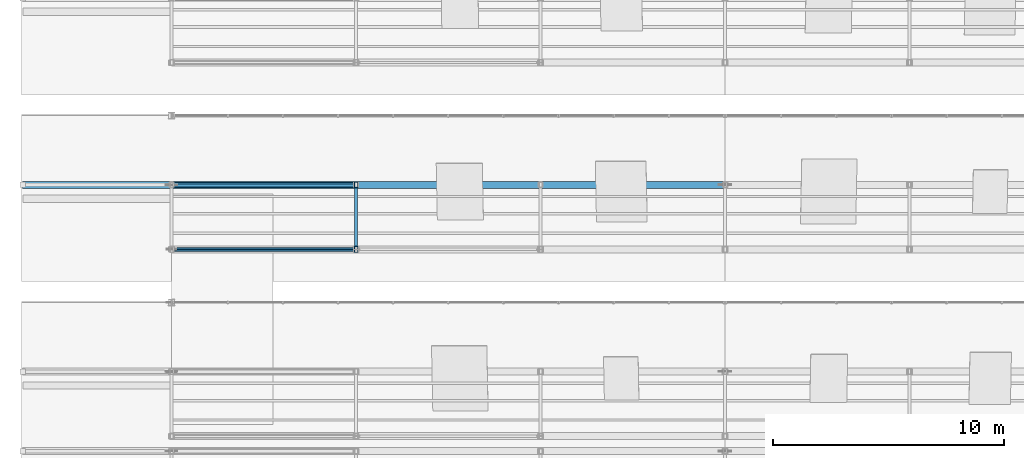
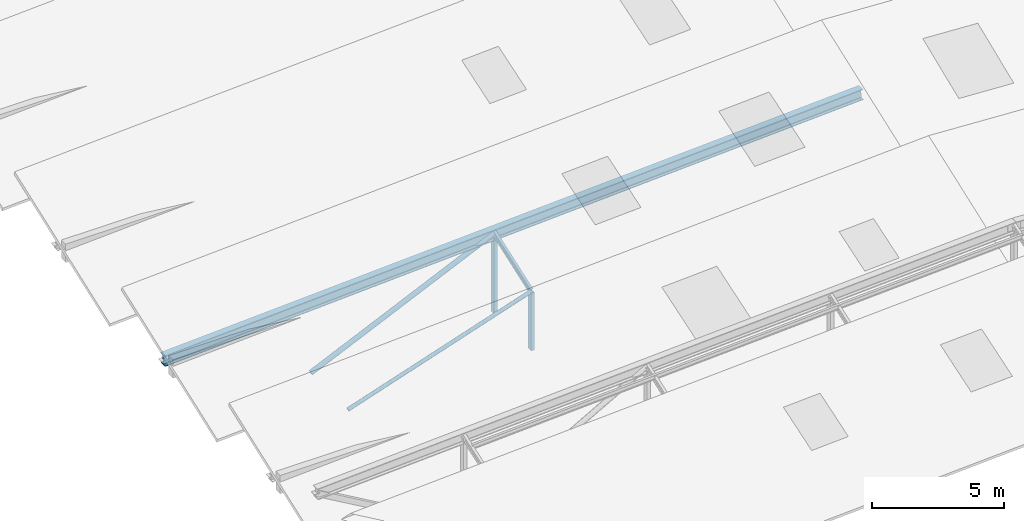
# One storey, part 26 of 141: 6 members.
"""IFC4 building model written with IfcOpenShell, lengths in metres."""

from ifc_helpers import new_model, si_unit, direction, frame, origin, origin_2d, place, context, subcontext, project, spatial, hollow_rectangle, hollow_circle, i_section, extrude, material, material_profile, profile_set, type_object, element, save


model = new_model("IFC4")

# Units and contexts
model_context = context("Model", 3, precision=1e-05, world=origin(), true_north=direction((0.0, 1.0)))
body_context = subcontext(model_context, "Body", "Model", "MODEL_VIEW")
ifc_project = project(units=[si_unit("LENGTHUNIT", "METRE"), si_unit("AREAUNIT", "SQUARE_METRE"), si_unit("VOLUMEUNIT", "CUBIC_METRE"), si_unit("PLANEANGLEUNIT", "RADIAN"), si_unit("MASSUNIT", "GRAM", prefix="KILO")], contexts=[model_context])

# Site, building, storey
site_placement = place(None, origin())
site = spatial("IfcSite", under=ifc_project, at=site_placement, CompositionType="ELEMENT")
building_placement = place(site_placement, origin())
building = spatial("IfcBuilding", under=site, at=building_placement, Name="Sundkrona Museum", CompositionType="ELEMENT")
storey_placement = place(building_placement, frame((0.0, 0.0, 34.0)))
storey = spatial("IfcBuildingStorey", under=building, at=storey_placement, Name="RF", CompositionType="ELEMENT", Elevation=34.0)

# Members
ifc_material = material(Name="Steel S355J2", Category="steel")
ifc_material_profile_1 = material_profile(ifc_material, i_section(OverallWidth=0.1201171875, OverallDepth=0.239990234375, WebThickness=0.006103515625, FlangeThickness=0.009765625, FilletRadius=0.014892578125, at=origin_2d()), Name="IPE 240")
ifc_profile_set_1 = profile_set([ifc_material_profile_1], Name="Steel S355J2")
member_type_1 = type_object("IfcMemberType", Name="PR-IPE240", PredefinedType="PURLIN", material=ifc_profile_set_1)
member_1_placement = place(storey_placement, frame((128.0, 12.60009765625, 2.40966796875), z_axis=(0.0, 0.942719886711, 0.333585394164), x_axis=(-1.0, 0.0, 0.0)))
element("IfcMember", 1, at=member_1_placement, inside=storey, type_object=member_type_1, Name="RFS-1 Sawtooth Bay 3 Transverse Rafter 2", PredefinedType="PURLIN", context=body_context, shape_type="SweptSolid", body=[
    extrude(i_section(OverallWidth=0.1201171875, OverallDepth=0.239990234375, WebThickness=0.006103515625, FlangeThickness=0.009765625, FilletRadius=0.014892578125, at=origin_2d()), origin(), (0.0, 0.0, 1.0), 2.969970703125),
])
ifc_material_profile_2 = material_profile(ifc_material, hollow_circle(Radius=0.084228515625, WallThickness=0.008056640625, at=origin_2d()), Name="CHS 168.3x8.0")
ifc_profile_set_2 = profile_set([ifc_material_profile_2], Name="Steel S355J2")
member_type_2 = type_object("IfcMemberType", Name="ST-CHS168", PredefinedType="STRUT", material=ifc_profile_set_2)
member_2_placement = place(storey_placement, frame((120.0, 12.60009765625, -0.25), z_axis=(0.948932052169, 0.0, 0.315480522959), x_axis=(0.0, 1.0, 0.0)))
element("IfcMember", 2, at=member_2_placement, inside=storey, type_object=member_type_2, Name="RFS-1 Sawtooth Valley Truss 3 Web Strut 1", PredefinedType="STRUT", context=body_context, shape_type="SweptSolid", body=[
    extrude(hollow_circle(Radius=0.084228515625, WallThickness=0.008056640625, at=origin_2d()), origin(), (0.0, 0.0, 1.0), 8.430419921875),
])
ifc_material_profile_3 = material_profile(ifc_material, hollow_circle(Radius=0.109619140625, WallThickness=0.010009765625, at=origin_2d()), Name="CHS 219.1x10.0")
ifc_profile_set_3 = profile_set([ifc_material_profile_3], Name="Steel S355J2")
member_type_3 = type_object("IfcMemberType", Name="ST-CHS219", PredefinedType="STRUT", material=ifc_profile_set_3)
member_3_placement = place(storey_placement, frame((120.0, 15.39990234375, -0.25), z_axis=(0.909764602173, 0.0, 0.415124521841), x_axis=(0.0, 1.0, 0.0)))
element("IfcMember", 3, at=member_3_placement, inside=storey, type_object=member_type_3, Name="RFS-1 Sawtooth Truss 3 Web Strut 1", PredefinedType="STRUT", context=body_context, shape_type="SweptSolid", body=[
    extrude(hollow_circle(Radius=0.109619140625, WallThickness=0.010009765625, at=origin_2d()), origin(), (0.0, 0.0, 1.0), 8.79345703125),
])
ifc_material_profile_4 = material_profile(ifc_material, hollow_rectangle(XDim=0.14990234375, YDim=0.25, WallThickness=0.010009765625, at=origin_2d()), Name="RHS 250x150x10.0")
ifc_profile_set_4 = profile_set([ifc_material_profile_4], Name="Steel S355J2")
member_type_4 = type_object("IfcMemberType", Name="ST-RHS250", PredefinedType="STRUT", material=ifc_profile_set_4)
member_4_placement = place(storey_placement, frame((128.0, 15.39990234375, -0.25), z_axis=(0.0, 0.0, 1.0), x_axis=(1.0, 0.0, 0.0)))
element("IfcMember", 4, at=member_4_placement, inside=storey, type_object=member_type_4, Name="RFS-1 Sawtooth Truss 3 Vertical Post 2", PredefinedType="STRUT", context=body_context, shape_type="SweptSolid", body=[
    extrude(hollow_rectangle(XDim=0.14990234375, YDim=0.25, WallThickness=0.010009765625, at=origin_2d()), origin(), (0.0, 0.0, 1.0), 3.650390625),
])
member_5_placement = place(storey_placement, frame((128.0, 12.60009765625, -0.25), z_axis=(0.0, 0.0, 1.0), x_axis=(1.0, 0.0, 0.0)))
element("IfcMember", 5, at=member_5_placement, inside=storey, type_object=member_type_4, Name="RFS-1 Sawtooth Bay 3 Valley Post 2", PredefinedType="STRUT", context=body_context, shape_type="SweptSolid", body=[
    extrude(hollow_rectangle(XDim=0.14990234375, YDim=0.25, WallThickness=0.010009765625, at=origin_2d()), origin(), (0.0, 0.0, 1.0), 2.65966796875),
])
ifc_material_profile_5 = material_profile(ifc_material, i_section(OverallWidth=0.300048828125, OverallDepth=0.5, WebThickness=0.014404296875, FlangeThickness=0.028076171875, FilletRadius=0.027099609375, at=origin_2d()), Name="HEB 500")
ifc_profile_set_5 = profile_set([ifc_material_profile_5], Name="Steel S355J2")
member_type_5 = type_object("IfcMemberType", Name="TC-HEB500", PredefinedType="CHORD", material=ifc_profile_set_5)
member_6_placement = place(storey_placement, frame((113.550048828125, 15.39990234375, 2.618408203125), z_axis=(0.998539589753, 0.0, 0.054024880348), x_axis=(0.0, 1.0, 0.0)))
element("IfcMember", 6, at=member_6_placement, inside=storey, type_object=member_type_5, Name="RFS-1 Sawtooth Truss 3 West Sloped Top Chord", PredefinedType="CHORD", context=body_context, shape_type="SweptSolid", body=[
    extrude(i_section(OverallWidth=0.300048828125, OverallDepth=0.5, WebThickness=0.014404296875, FlangeThickness=0.028076171875, FilletRadius=0.027099609375, at=origin_2d()), origin(), (0.0, 0.0, 1.0), 30.494384765625),
])

save(model, "model.ifc")
